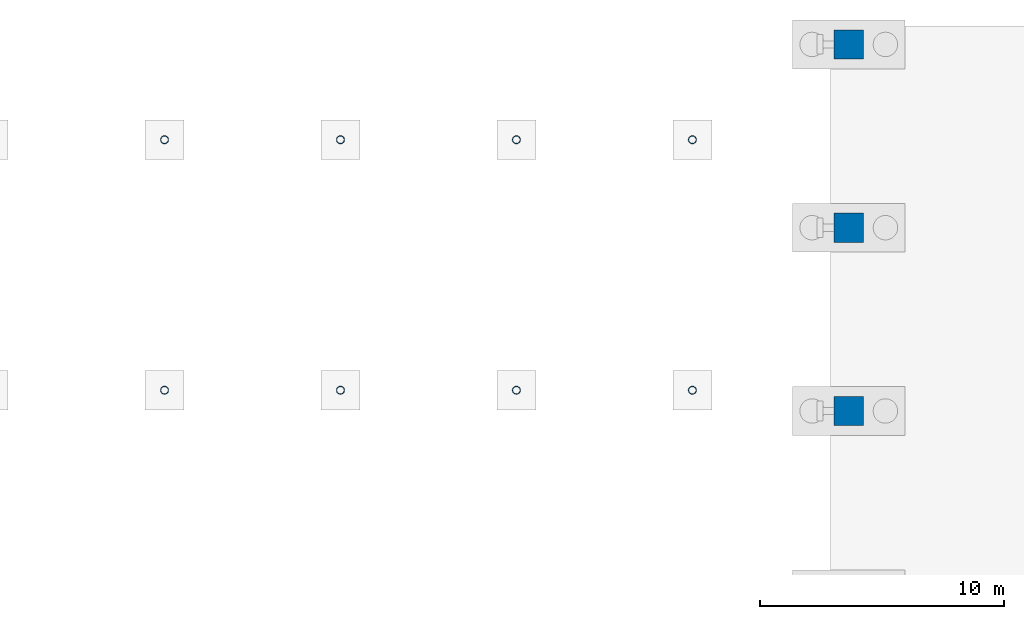
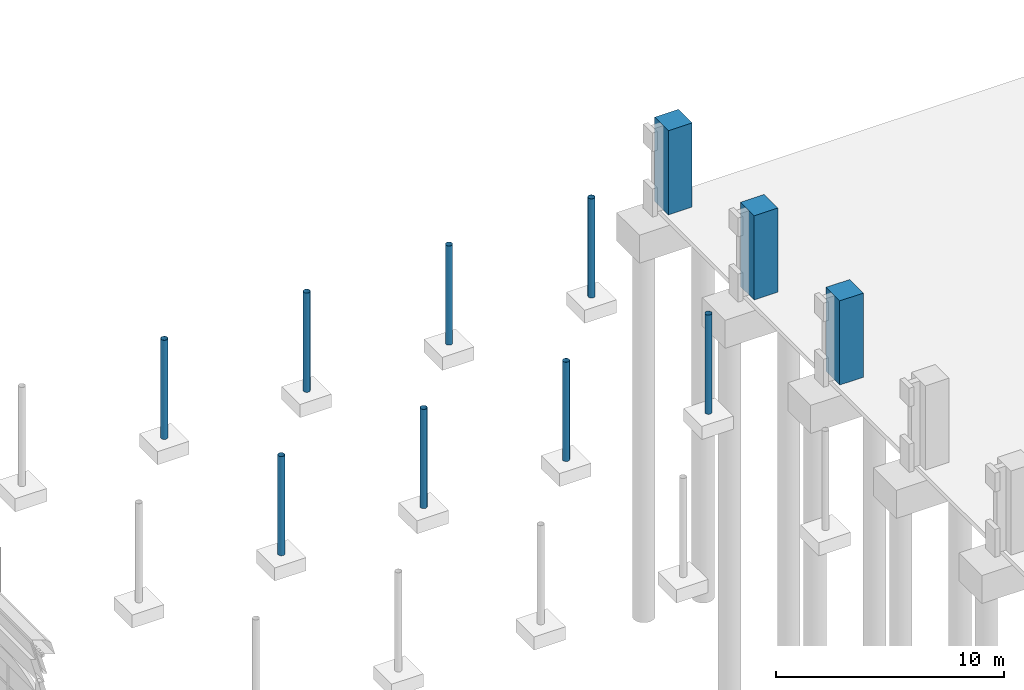
# One storey, part 11 of 99: 11 columns.
"""IFC4 building model written with IfcOpenShell, lengths in metres."""

from ifc_helpers import new_model, si_unit, direction, frame, origin, origin_2d, place, context, subcontext, project, spatial, rectangle, hollow_circle, extrude, material, material_profile, profile_set, type_object, element, save


model = new_model("IFC4")

# Units and contexts
model_context = context("Model", 3, precision=1e-05, world=origin(), true_north=direction((0.0, 1.0)))
body_context = subcontext(model_context, "Body", "Model", "MODEL_VIEW")
ifc_project = project(units=[si_unit("LENGTHUNIT", "METRE"), si_unit("AREAUNIT", "SQUARE_METRE"), si_unit("VOLUMEUNIT", "CUBIC_METRE"), si_unit("PLANEANGLEUNIT", "RADIAN"), si_unit("MASSUNIT", "GRAM", prefix="KILO")], contexts=[model_context])

# Site, building, storey
site_placement = place(None, origin())
site = spatial("IfcSite", under=ifc_project, at=site_placement, CompositionType="ELEMENT")
building_placement = place(site_placement, origin())
building = spatial("IfcBuilding", under=site, at=building_placement, Name="Cour d'Honneur Mobility Palace", CompositionType="ELEMENT")
storey_placement = place(building_placement, origin())
storey = spatial("IfcBuildingStorey", under=building, at=storey_placement, Name="L00", CompositionType="ELEMENT", Elevation=0.0)

# Columns
ifc_material_1 = material(Name="Steel S355", Category="steel")
ifc_material_profile_1 = material_profile(ifc_material_1, hollow_circle(Radius=0.161865234375, WallThickness=0.010009765625, at=origin_2d()), Name="CHS 323.9x10")
ifc_profile_set_1 = profile_set([ifc_material_profile_1], Name="Steel S355")
column_type_1 = type_object("IfcColumnType", Name="Canopy column CHS 323.9x10", PredefinedType="COLUMN", material=ifc_profile_set_1)
for number, where, z_axis, x_axis, name in (
    (1, (34.39990234375, 100.75, -0.300048828125), (0.0, 0.0, 1.0), (1.0, 0.0, 0.0), "Canopy column FCC-W2.3"),
    (2, (41.60009765625, 100.75, -0.300048828125), (0.0, 0.0, 1.0), (1.0, 0.0, 0.0), "Canopy column FCC-W2.4"),
    (3, (48.800048828125, 100.75, -0.300048828125), (0.0, 0.0, 1.0), (1.0, 0.0, 0.0), "Canopy column FCC-W2.5"),
    (4, (56.0, 100.75, -0.300048828125), (0.0, 0.0, 1.0), (1.0, 0.0, 0.0), "Canopy column FCC-W2.6"),
    (5, (34.39990234375, 111.0, -0.300048828125), (0.0, 0.0, 1.0), (1.0, 0.0, 0.0), "Canopy column FCC-W3.3"),
    (6, (41.60009765625, 111.0, -0.300048828125), (0.0, 0.0, 1.0), (1.0, 0.0, 0.0), "Canopy column FCC-W3.4"),
    (7, (48.800048828125, 111.0, -0.300048828125), (0.0, 0.0, 1.0), (1.0, 0.0, 0.0), "Canopy column FCC-W3.5"),
    (8, (56.0, 111.0, -0.300048828125), (0.0, 0.0, 1.0), (1.0, 0.0, 0.0), "Canopy column FCC-W3.6"),
):
    element("IfcColumn", number, at=place(storey_placement, frame(where, z_axis=z_axis, x_axis=x_axis)), inside=storey, type_object=column_type_1, Name=name, PredefinedType="COLUMN", context=body_context, shape_type="SweptSolid", body=[
        extrude(hollow_circle(Radius=0.161865234375, WallThickness=0.010009765625, at=origin_2d()), origin(), (0.0, 0.0, 1.0), 5.300048828125),
    ])
ifc_material_2 = material(Name="Concrete C50", Category="concrete")
ifc_material_profile_2 = material_profile(ifc_material_2, rectangle(XDim=1.199951171875, YDim=1.199951171875, at=origin_2d()), Name="Hall pier 1200x1200")
ifc_profile_set_2 = profile_set([ifc_material_profile_2], Name="Concrete C50")
column_type_2 = type_object("IfcColumnType", Name="Hall pier 1200x1200", PredefinedType="COLUMN", material=ifc_profile_set_2)
for number, where, z_axis, x_axis, name in (
    (9, (62.39990234375, 99.89990234375, 0.0), (0.0, 0.0, 1.0), (1.0, 0.0, 0.0), "Hall pier HP-W6"),
    (10, (62.39990234375, 107.39990234375, 0.0), (0.0, 0.0, 1.0), (1.0, 0.0, 0.0), "Hall pier HP-W7"),
    (11, (62.39990234375, 114.89990234375, 0.0), (0.0, 0.0, 1.0), (1.0, 0.0, 0.0), "Hall pier HP-W8"),
):
    element("IfcColumn", number, at=place(storey_placement, frame(where, z_axis=z_axis, x_axis=x_axis)), inside=storey, type_object=column_type_2, Name=name, PredefinedType="COLUMN", context=body_context, shape_type="SweptSolid", body=[
        extrude(rectangle(XDim=1.199951171875, YDim=1.199951171875, at=origin_2d()), origin(), (0.0, 0.0, 1.0), 4.5),
    ])

save(model, "model.ifc")
